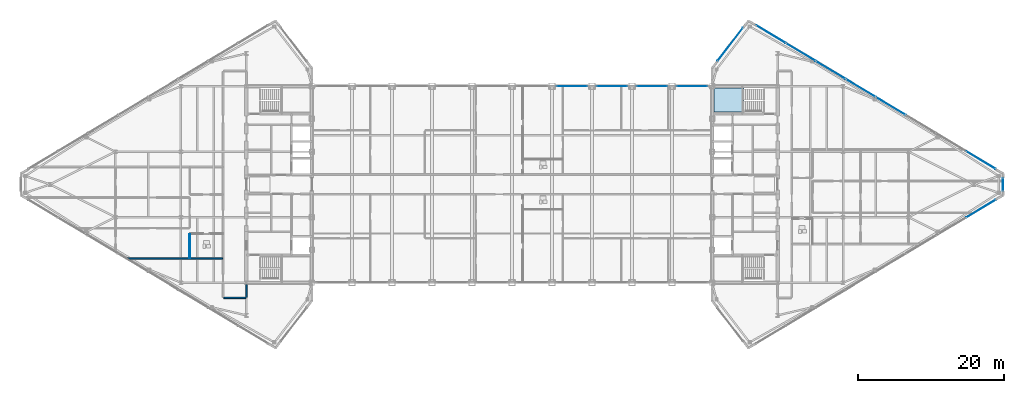
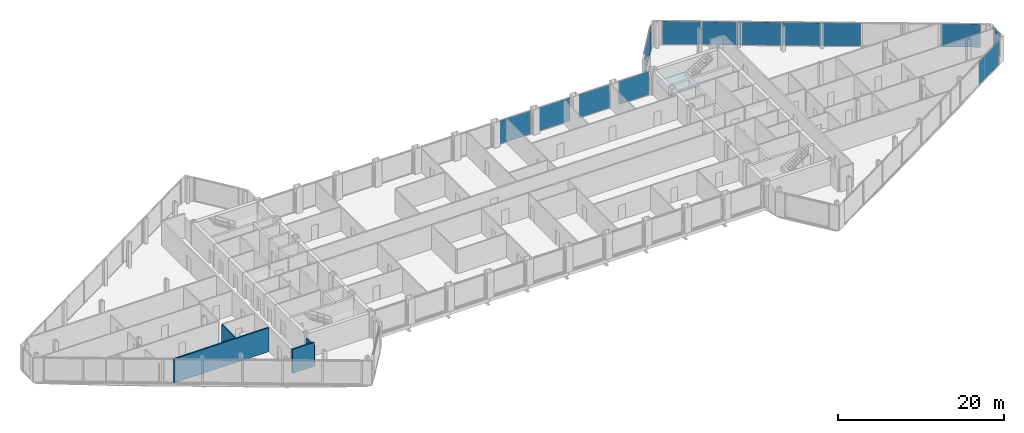
# One storey, part 20 of 29: 13 plates, 4 walls, 1 slab, 9 elements without a shape of their own.
"""IFC4 building model written with IfcOpenShell, lengths in metres."""

from ifc_helpers import new_model, si_unit, direction, frame, frame_2d, origin, origin_2d, place, context, subcontext, project, spatial, polyline, rectangle, outline, extrude, source, transform, mapped, material, layer, layer_set, type_object, type_shapes, element, aggregate, save


model = new_model("IFC4")

# Units and contexts
model_context = context("Model", 3, precision=1e-05, world=origin(), true_north=direction((0.0, 1.0)))
body_context = subcontext(model_context, "Body", "Model", "MODEL_VIEW")
ifc_project = project(units=[si_unit("LENGTHUNIT", "METRE"), si_unit("AREAUNIT", "SQUARE_METRE"), si_unit("VOLUMEUNIT", "CUBIC_METRE"), si_unit("PLANEANGLEUNIT", "RADIAN"), si_unit("MASSUNIT", "GRAM", prefix="KILO")], contexts=[model_context])

# Site, building, storey
site_placement = place(None, origin())
site = spatial("IfcSite", under=ifc_project, at=site_placement, CompositionType="ELEMENT")
building_placement = place(site_placement, origin())
building = spatial("IfcBuilding", under=site, at=building_placement, Name="Seokmaru Belvedere", CompositionType="ELEMENT")
storey_placement = place(building_placement, frame((0.0, 0.0, 254.39990234375)))
storey = spatial("IfcBuildingStorey", under=building, at=storey_placement, Name="L67", CompositionType="ELEMENT", Elevation=254.39990234375)

# Stair, slab
ifc_material_1 = material(Name="Concrete C40 (40 MPa)", Category="concrete")
stair_type = type_object("IfcStairType", Name="Sky-Gate Residential Core Dog-Leg Stair 3750", PredefinedType="TWO_STRAIGHT_RUN_STAIR", material=ifc_material_1)
stair_placement = place(storey_placement, origin())
stair = element("IfcStair", 1, at=stair_placement, inside=storey, type_object=stair_type, Name="L67 Special Escape Stair ST-E2", PredefinedType="TWO_STRAIGHT_RUN_STAIR")
ifc_layer_1 = layer(ifc_material_1, 0.199951171875)
ifc_layer_set_1 = layer_set([ifc_layer_1], Name="Concrete C40 (40 MPa)")
slab_type = type_object("IfcSlabType", Name="Reinforced Concrete Stair Landing Slab 200", PredefinedType="LANDING", material=ifc_layer_set_1)
slab_placement = place(storey_placement, frame((0.0, 0.0, 1.675048828125)))
slab = element("IfcSlab", 2, at=slab_placement, type_object=slab_type, Name="ST-E2 landing 1", PredefinedType="LANDING", context=body_context, shape_type="SweptSolid", body=[
    extrude(outline(polyline([(27.760009765625, 9.949951171875), (31.8798828125, 9.949951171875), (31.8798828125, 13.239990234375), (27.760009765625, 13.239990234375), (27.760009765625, 9.949951171875)])), origin(), (0.0, 0.0, 1.0), 0.199951171875),
])
aggregate(stair, [slab])

# Curtain wall, plate
ifc_material_2 = material(Name="Bronze Triple Insulating Glass", Category="glass")
ifc_layer_2 = layer(ifc_material_2, 0.219970703125)
ifc_layer_set_2 = layer_set([ifc_layer_2], Name="Bronze Triple Insulating Glass")
curtain_wall_type = type_object("IfcCurtainWallType", Name="Sky-Gate Bridge Panorama Curtain Wall System CW-6", PredefinedType="NOTDEFINED", material=ifc_layer_set_2)
curtain_wall_1_placement = place(storey_placement, origin())
curtain_wall_1 = element("IfcCurtainWall", 3, at=curtain_wall_1_placement, inside=storey, type_object=curtain_wall_type, Name="L67 Curtain Wall EF4", PredefinedType="NOTDEFINED")
ifc_layer_3 = layer(ifc_material_2, 0.0419921875)
ifc_layer_set_3 = layer_set([ifc_layer_3], Name="Bronze Triple Insulating Glass")
plate_type = type_object("IfcPlateType", Name="Acoustic Laminated Panorama Glazing Panel 42", PredefinedType="CURTAIN_PANEL", material=ifc_layer_set_3)
shared_shape_1 = source(origin(), body_context, "Body", "SweptSolid", [
    extrude(rectangle(XDim=5.740478515625, YDim=0.0419921875, at=origin_2d()), origin(), (0.0, 0.0, 1.0), 3.3798828125),
])
plate_1_placement = place(storey_placement, frame((30.0, 19.25, 0.0751953125), z_axis=(0.0, 0.0, 1.0), x_axis=(-0.609701187349, -0.792631353244, 0.0)))
plate_1 = element("IfcPlate", 4, at=plate_1_placement, type_object=plate_type, Name="CW:L67:EF4 Glazing Panel 1-1", PredefinedType="CURTAIN_PANEL", context=body_context, shape_type="MappedRepresentation", body=[
    mapped(shared_shape_1, transform((0.0, 0.0, 0.0), scale=1.0)),
])
aggregate(curtain_wall_1, [plate_1])

curtain_wall_2_placement = place(storey_placement, origin())
curtain_wall_2 = element("IfcCurtainWall", 5, at=curtain_wall_2_placement, inside=storey, type_object=curtain_wall_type, Name="L67 Curtain Wall EF1", PredefinedType="NOTDEFINED")
shared_shape_2 = source(origin(), body_context, "Body", "SweptSolid", [
    extrude(rectangle(XDim=4.694580078125, YDim=0.0419921875, at=origin_2d()), origin(), (0.0, 0.0, 1.0), 3.3798828125),
])
plate_2_placement = place(storey_placement, frame((64.4326171875, -3.340576171875, 0.0751953125), z_axis=(0.0, 0.0, 1.0), x_axis=(0.85749343335, 0.514494909364, 0.0)))
plate_2 = element("IfcPlate", 6, at=plate_2_placement, type_object=plate_type, Name="CW:L67:EF1 Glazing Panel 8-1", PredefinedType="CURTAIN_PANEL", context=body_context, shape_type="MappedRepresentation", body=[
    mapped(shared_shape_2, transform((0.0, 0.0, 0.0), scale=1.0)),
])
aggregate(curtain_wall_2, [plate_2])

# Curtain wall, plates
curtain_wall_3_placement = place(storey_placement, origin())
curtain_wall_3 = element("IfcCurtainWall", 7, at=curtain_wall_3_placement, inside=storey, type_object=curtain_wall_type, Name="L67 Curtain Wall EF3", PredefinedType="NOTDEFINED")
plate_3_placement = place(storey_placement, frame((64.4326171875, 3.340576171875, 0.0751953125), z_axis=(0.0, 0.0, 1.0), x_axis=(-0.85749343335, 0.514494909364, 0.0)))
plate_3 = element("IfcPlate", 8, at=plate_3_placement, type_object=plate_type, Name="CW:L67:EF3 Glazing Panel 1-1", PredefinedType="CURTAIN_PANEL", context=body_context, shape_type="MappedRepresentation", body=[
    mapped(shared_shape_2, transform((0.0, 0.0, 0.0), scale=1.0)),
])
plate_4_placement = place(storey_placement, frame((35.5673828125, 20.659423828125, 0.0751953125), z_axis=(0.0, 0.0, 1.0), x_axis=(-0.85749343335, 0.514494909364, 0.0)))
plate_4 = element("IfcPlate", 9, at=plate_4_placement, type_object=plate_type, Name="CW:L67:EF3 Glazing Panel 8-1", PredefinedType="CURTAIN_PANEL", context=body_context, shape_type="MappedRepresentation", body=[
    mapped(shared_shape_2, transform((0.0, 0.0, 0.0), scale=1.0)),
])
shared_shape_3 = source(origin(), body_context, "Body", "SweptSolid", [
    extrude(rectangle(XDim=4.734619140625, YDim=0.0419921875, at=origin_2d()), origin(), (0.0, 0.0, 1.0), 3.3798828125),
])
plate_5_placement = place(storey_placement, frame((52.064208984375, 10.761474609375, 0.0751953125), z_axis=(0.0, 0.0, 1.0), x_axis=(-0.85749343335, 0.514494909364, 0.0)))
plate_5 = element("IfcPlate", 10, at=plate_5_placement, type_object=plate_type, Name="CW:L67:EF3 Glazing Panel 4-1", PredefinedType="CURTAIN_PANEL", context=body_context, shape_type="MappedRepresentation", body=[
    mapped(shared_shape_3, transform((0.0, 0.0, 0.0), scale=1.0)),
])
plate_6_placement = place(storey_placement, frame((47.935791015625, 13.238525390625, 0.0751953125), z_axis=(0.0, 0.0, 1.0), x_axis=(-0.85749343335, 0.514494909364, 0.0)))
plate_6 = element("IfcPlate", 11, at=plate_6_placement, type_object=plate_type, Name="CW:L67:EF3 Glazing Panel 5-1", PredefinedType="CURTAIN_PANEL", context=body_context, shape_type="MappedRepresentation", body=[
    mapped(shared_shape_3, transform((0.0, 0.0, 0.0), scale=1.0)),
])
plate_7_placement = place(storey_placement, frame((43.807373046875, 15.715576171875, 0.0751953125), z_axis=(0.0, 0.0, 1.0), x_axis=(-0.85749343335, 0.514494909364, 0.0)))
plate_7 = element("IfcPlate", 12, at=plate_7_placement, type_object=plate_type, Name="CW:L67:EF3 Glazing Panel 6-1", PredefinedType="CURTAIN_PANEL", context=body_context, shape_type="MappedRepresentation", body=[
    mapped(shared_shape_3, transform((0.0, 0.0, 0.0), scale=1.0)),
])
plate_8_placement = place(storey_placement, frame((39.6787109375, 18.192626953125, 0.0751953125), z_axis=(0.0, 0.0, 1.0), x_axis=(-0.85749343335, 0.514494909364, 0.0)))
plate_8 = element("IfcPlate", 13, at=plate_8_placement, type_object=plate_type, Name="CW:L67:EF3 Glazing Panel 7-1", PredefinedType="CURTAIN_PANEL", context=body_context, shape_type="MappedRepresentation", body=[
    mapped(shared_shape_3, transform((0.0, 0.0, 0.0), scale=1.0)),
])
aggregate(curtain_wall_3, [plate_3, plate_5, plate_6, plate_7, plate_8, plate_4])

# Curtain wall, plate
curtain_wall_4_placement = place(storey_placement, origin())
curtain_wall_4 = element("IfcCurtainWall", 14, at=curtain_wall_4_placement, inside=storey, type_object=curtain_wall_type, Name="L67 Curtain Wall EF2", PredefinedType="NOTDEFINED")
shared_shape_4 = source(origin(), body_context, "Body", "SweptSolid", [
    extrude(rectangle(XDim=1.739990234375, YDim=0.0419921875, at=origin_2d()), origin(), (0.0, 0.0, 1.0), 3.3798828125),
])
plate_9_placement = place(storey_placement, frame((67.5, 0.0, 0.0751953125), z_axis=(0.0, 0.0, 1.0), x_axis=(0.0, 1.0, 0.0)))
plate_9 = element("IfcPlate", 15, at=plate_9_placement, type_object=plate_type, Name="CW:L67:EF2 Glazing Panel 1-1", PredefinedType="CURTAIN_PANEL", context=body_context, shape_type="MappedRepresentation", body=[
    mapped(shared_shape_4, transform((0.0, 0.0, 0.0), scale=1.0)),
])
aggregate(curtain_wall_4, [plate_9])

curtain_wall_5_placement = place(storey_placement, origin())
curtain_wall_5 = element("IfcCurtainWall", 16, at=curtain_wall_5_placement, inside=storey, type_object=curtain_wall_type, Name="L67 Curtain Wall BR_N07", PredefinedType="NOTDEFINED")
shared_shape_5 = source(origin(), body_context, "Body", "SweptSolid", [
    extrude(rectangle(XDim=4.239990234375, YDim=0.0419921875, at=origin_2d()), origin(), (0.0, 0.0, 1.0), 3.3798828125),
])
type_shapes(plate_type, [shared_shape_1, shared_shape_2, shared_shape_3, shared_shape_4, shared_shape_5])
plate_10_placement = place(storey_placement, frame((8.25, 13.5, 0.0751953125), z_axis=(0.0, 0.0, 1.0), x_axis=(-1.0, 0.0, 0.0)))
plate_10 = element("IfcPlate", 17, at=plate_10_placement, type_object=plate_type, Name="CW:L67:BR_N07 Glazing Panel 1-1", PredefinedType="CURTAIN_PANEL", context=body_context, shape_type="MappedRepresentation", body=[
    mapped(shared_shape_5, transform((0.0, 0.0, 0.0), scale=1.0)),
])
aggregate(curtain_wall_5, [plate_10])

curtain_wall_6_placement = place(storey_placement, origin())
curtain_wall_6 = element("IfcCurtainWall", 18, at=curtain_wall_6_placement, inside=storey, type_object=curtain_wall_type, Name="L67 Curtain Wall BR_N08", PredefinedType="NOTDEFINED")
plate_11_placement = place(storey_placement, frame((13.75, 13.5, 0.0751953125), z_axis=(0.0, 0.0, 1.0), x_axis=(-1.0, 0.0, 0.0)))
plate_11 = element("IfcPlate", 19, at=plate_11_placement, type_object=plate_type, Name="CW:L67:BR_N08 Glazing Panel 1-1", PredefinedType="CURTAIN_PANEL", context=body_context, shape_type="MappedRepresentation", body=[
    mapped(shared_shape_5, transform((0.0, 0.0, 0.0), scale=1.0)),
])
aggregate(curtain_wall_6, [plate_11])

curtain_wall_7_placement = place(storey_placement, origin())
curtain_wall_7 = element("IfcCurtainWall", 20, at=curtain_wall_7_placement, inside=storey, type_object=curtain_wall_type, Name="L67 Curtain Wall BR_N09", PredefinedType="NOTDEFINED")
plate_12_placement = place(storey_placement, frame((19.25, 13.5, 0.0751953125), z_axis=(0.0, 0.0, 1.0), x_axis=(-1.0, 0.0, 0.0)))
plate_12 = element("IfcPlate", 21, at=plate_12_placement, type_object=plate_type, Name="CW:L67:BR_N09 Glazing Panel 1-1", PredefinedType="CURTAIN_PANEL", context=body_context, shape_type="MappedRepresentation", body=[
    mapped(shared_shape_5, transform((0.0, 0.0, 0.0), scale=1.0)),
])
aggregate(curtain_wall_7, [plate_12])

curtain_wall_8_placement = place(storey_placement, origin())
curtain_wall_8 = element("IfcCurtainWall", 22, at=curtain_wall_8_placement, inside=storey, type_object=curtain_wall_type, Name="L67 Curtain Wall BR_N10", PredefinedType="NOTDEFINED")
plate_13_placement = place(storey_placement, frame((24.75, 13.5, 0.0751953125), z_axis=(0.0, 0.0, 1.0), x_axis=(-1.0, 0.0, 0.0)))
plate_13 = element("IfcPlate", 23, at=plate_13_placement, type_object=plate_type, Name="CW:L67:BR_N10 Glazing Panel 1-1", PredefinedType="CURTAIN_PANEL", context=body_context, shape_type="MappedRepresentation", body=[
    mapped(shared_shape_5, transform((0.0, 0.0, 0.0), scale=1.0)),
])
aggregate(curtain_wall_8, [plate_13])

# Walls
ifc_material_3 = material(Name="Fire-Rated Gypsum Shaftwall")
ifc_layer_4 = layer(ifc_material_3, 0.199951171875)
ifc_layer_set_4 = layer_set([ifc_layer_4], Name="Fire-Rated Gypsum Shaftwall")
wall_type_1 = type_object("IfcWallType", Name="Inter-Tenancy Fire Compartment Partition 200", PredefinedType="PARTITIONING", material=ifc_layer_set_4)
wall_1_placement = place(storey_placement, frame((-39.614990234375, -15.60009765625, 0.0), z_axis=(0.0, 0.0, 1.0), x_axis=(1.0, 0.0, 0.0)))
element("IfcWall", 24, at=wall_1_placement, inside=storey, type_object=wall_type_1, Name="L67 Interior Partition 001", PredefinedType="PARTITIONING", context=body_context, shape_type="SweptSolid", body=[
    extrude(rectangle(XDim=3.030029296875, YDim=0.199951171875, at=frame_2d((1.51513671875, 0.0))), origin(), (0.0, 0.0, 1.0), 3.530029296875),
])
wall_2_placement = place(storey_placement, frame((-53.010009765625, -10.199951171875, 0.0), z_axis=(0.0, 0.0, 1.0), x_axis=(1.0, 0.0, 0.0)))
element("IfcWall", 25, at=wall_2_placement, inside=storey, type_object=wall_type_1, Name="L67 Interior Partition 003", PredefinedType="PARTITIONING", context=body_context, shape_type="SweptSolid", body=[
    extrude(rectangle(XDim=13.22998046875, YDim=0.199951171875, at=frame_2d((6.614990234375, 0.0))), origin(), (0.0, 0.0, 1.0), 3.530029296875),
])
wall_3_placement = place(storey_placement, frame((-36.5, -15.514892578125, 0.0), z_axis=(0.0, 0.0, 1.0), x_axis=(0.0, 1.0, 0.0)))
element("IfcWall", 26, at=wall_3_placement, inside=storey, type_object=wall_type_1, Name="L67 Interior Partition 032", PredefinedType="PARTITIONING", context=body_context, shape_type="SweptSolid", body=[
    extrude(rectangle(XDim=1.760009765625, YDim=0.199951171875, at=frame_2d((0.8798828125, 0.0))), origin(), (0.0, 0.0, 1.0), 2.93017578125),
])
ifc_layer_5 = layer(ifc_material_3, 0.1298828125)
ifc_layer_set_5 = layer_set([ifc_layer_5], Name="Fire-Rated Gypsum Shaftwall")
wall_type_2 = type_object("IfcWallType", Name="Moisture-Resistant Fire-Rated Bathroom Partition 130", PredefinedType="PARTITIONING", material=ifc_layer_set_5)
wall_4_placement = place(storey_placement, frame((-44.300048828125, -10.14990234375, 0.0), z_axis=(0.0, 0.0, 1.0), x_axis=(0.0, 1.0, 0.0)))
element("IfcWall", 27, at=wall_4_placement, inside=storey, type_object=wall_type_2, Name="L67 Interior Partition 028", PredefinedType="PARTITIONING", context=body_context, shape_type="SweptSolid", body=[
    extrude(rectangle(XDim=3.2998046875, YDim=0.1298828125, at=frame_2d((1.64990234375, 0.0))), origin(), (0.0, 0.0, 1.0), 3.530029296875),
])

save(model, "model.ifc")
